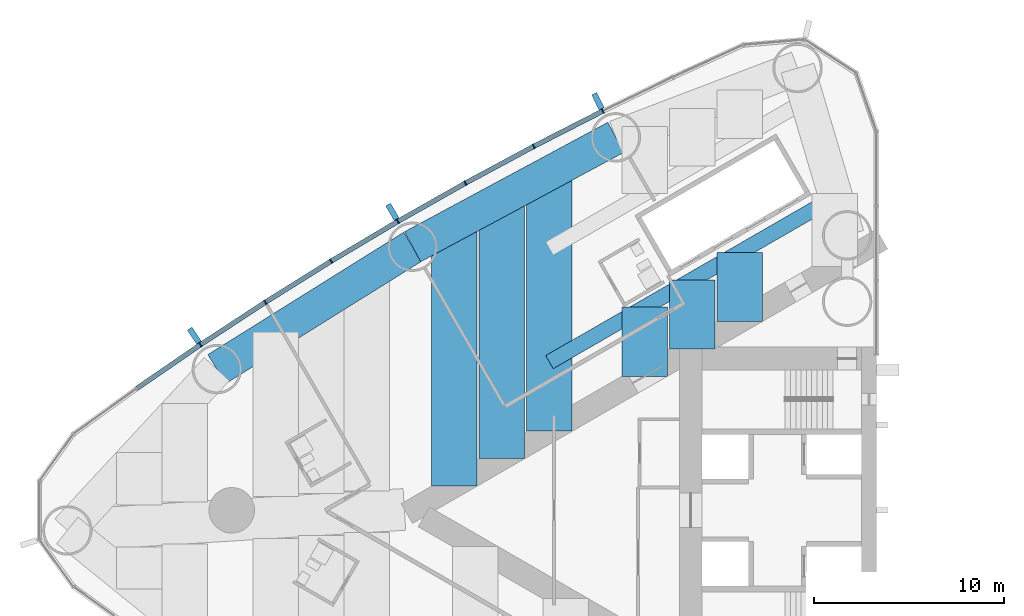
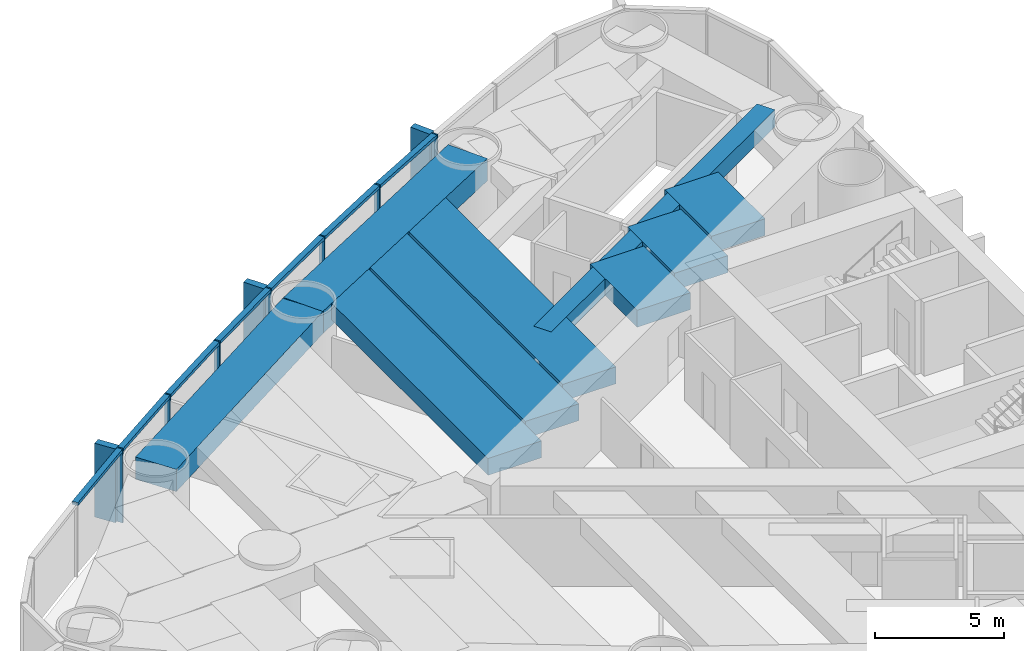
# One storey, part 4 of 18: 17 members, 9 beams, 1 element without a shape of its own.
"""IFC4 building model written with IfcOpenShell, lengths in metres."""

from ifc_helpers import new_model, si_unit, direction, frame, origin, origin_2d, place, context, subcontext, project, spatial, rectangle, hollow_rectangle, extrude, material, material_profile, profile_set, type_object, element, aggregate, save


model = new_model("IFC4")

# Units and contexts
model_context = context("Model", 3, precision=1e-05, world=origin(), true_north=direction((0.0, 1.0)))
body_context = subcontext(model_context, "Body", "Model", "MODEL_VIEW")
ifc_project = project(units=[si_unit("LENGTHUNIT", "METRE"), si_unit("AREAUNIT", "SQUARE_METRE"), si_unit("VOLUMEUNIT", "CUBIC_METRE"), si_unit("PLANEANGLEUNIT", "RADIAN"), si_unit("MASSUNIT", "GRAM", prefix="KILO")], contexts=[model_context])

# Site, building, storey
site_placement = place(None, origin())
site = spatial("IfcSite", under=ifc_project, at=site_placement, CompositionType="ELEMENT")
building_placement = place(site_placement, origin())
building = spatial("IfcBuilding", under=site, at=building_placement, Name="Lancet Gate Hotel", CompositionType="ELEMENT")
storey_placement = place(building_placement, frame((0.0, 0.0, 108.10009765625)))
storey = spatial("IfcBuildingStorey", under=building, at=storey_placement, Name="L28", CompositionType="ELEMENT", Elevation=108.10009765625)

# Curtain wall, members
ifc_material_1 = material(Name="Aluminium curtain wall", Category="aluminium")
curtain_wall_type = type_object("IfcCurtainWallType", Name="Tower unitised curtain wall", PredefinedType="USERDEFINED", material=ifc_material_1)
curtain_wall_placement = place(storey_placement, origin())
curtain_wall = element("IfcCurtainWall", 1, at=curtain_wall_placement, inside=storey, type_object=curtain_wall_type, Name="T1 L28 curtain wall 1", ObjectType="UNITISED CURTAIN WALL", PredefinedType="USERDEFINED")
ifc_material_2 = material(Name="Aluminium mullion", Category="aluminium")
ifc_material_profile_1 = material_profile(ifc_material_2, rectangle(XDim=0.06494140625, YDim=0.25, at=origin_2d()), Name="MULLION 65x250")
ifc_profile_set_1 = profile_set([ifc_material_profile_1], Name="Aluminium mullion")
member_type_1 = type_object("IfcMemberType", Name="Aluminium mullion 65x250", PredefinedType="MULLION", material=ifc_profile_set_1)
member_1_placement = place(storey_placement, frame((-41.935302734375, 21.053466796875, 0.0), z_axis=(0.0, 0.0, 1.0), x_axis=(-0.895339445458, -0.445384415317, 0.0)))
member_1 = element("IfcMember", 2, at=member_1_placement, type_object=member_type_1, Name="T1 L28 curtain wall 1 mullion 9", PredefinedType="MULLION", context=body_context, shape_type="SweptSolid", body=[
    extrude(rectangle(XDim=0.06494140625, YDim=0.25, at=origin_2d()), origin(), (0.0, 0.0, 1.0), 3.5),
])
member_2_placement = place(storey_placement, frame((-45.578857421875, 19.19189453125, 0.0), z_axis=(0.0, 0.0, 1.0), x_axis=(-0.885544335517, -0.46455487279, 0.0)))
member_2 = element("IfcMember", 3, at=member_2_placement, type_object=member_type_1, Name="T1 L28 curtain wall 1 mullion 10", PredefinedType="MULLION", context=body_context, shape_type="SweptSolid", body=[
    extrude(rectangle(XDim=0.06494140625, YDim=0.25, at=origin_2d()), origin(), (0.0, 0.0, 1.0), 3.5),
])
member_3_placement = place(storey_placement, frame((-49.181640625, 17.252197265625, 0.0), z_axis=(0.0, 0.0, 1.0), x_axis=(-0.875338819507, -0.48351003202, 0.0)))
member_3 = element("IfcMember", 4, at=member_3_placement, type_object=member_type_1, Name="T1 L28 curtain wall 1 mullion 11", PredefinedType="MULLION", context=body_context, shape_type="SweptSolid", body=[
    extrude(rectangle(XDim=0.06494140625, YDim=0.25, at=origin_2d()), origin(), (0.0, 0.0, 1.0), 3.5),
])
member_4_placement = place(storey_placement, frame((-52.74169921875, 15.2353515625, 0.0), z_axis=(0.0, 0.0, 1.0), x_axis=(-0.86472762718, -0.502241108226, 0.0)))
member_4 = element("IfcMember", 5, at=member_4_placement, type_object=member_type_1, Name="T1 L28 curtain wall 1 mullion 12", PredefinedType="MULLION", context=body_context, shape_type="SweptSolid", body=[
    extrude(rectangle(XDim=0.06494140625, YDim=0.25, at=origin_2d()), origin(), (0.0, 0.0, 1.0), 3.5),
])
member_5_placement = place(storey_placement, frame((-56.257568359375, 13.142333984375, 0.0), z_axis=(0.0, 0.0, 1.0), x_axis=(-0.853715676299, -0.52073942048, 0.0)))
member_5 = element("IfcMember", 6, at=member_5_placement, type_object=member_type_1, Name="T1 L28 curtain wall 1 mullion 13", PredefinedType="MULLION", context=body_context, shape_type="SweptSolid", body=[
    extrude(rectangle(XDim=0.06494140625, YDim=0.25, at=origin_2d()), origin(), (0.0, 0.0, 1.0), 3.5),
])
member_6_placement = place(storey_placement, frame((-59.7275390625, 10.974365234375, 0.0), z_axis=(0.0, 0.0, 1.0), x_axis=(-0.84230807036, -0.538996395727, 0.0)))
member_6 = element("IfcMember", 7, at=member_6_placement, type_object=member_type_1, Name="T1 L28 curtain wall 1 mullion 14", PredefinedType="MULLION", context=body_context, shape_type="SweptSolid", body=[
    extrude(rectangle(XDim=0.06494140625, YDim=0.25, at=origin_2d()), origin(), (0.0, 0.0, 1.0), 3.5),
])
member_7_placement = place(storey_placement, frame((-63.14990234375, 8.73193359375, 0.0), z_axis=(0.0, 0.0, 1.0), x_axis=(-0.830510096234, -0.557003572747, 0.0)))
member_7 = element("IfcMember", 8, at=member_7_placement, type_object=member_type_1, Name="T1 L28 curtain wall 1 mullion 15", PredefinedType="MULLION", context=body_context, shape_type="SweptSolid", body=[
    extrude(rectangle(XDim=0.06494140625, YDim=0.25, at=origin_2d()), origin(), (0.0, 0.0, 1.0), 3.5),
])
ifc_material_3 = material(Name="Aluminium transom", Category="aluminium")
ifc_material_profile_2 = material_profile(ifc_material_3, rectangle(XDim=0.25, YDim=0.14990234375, at=origin_2d()), Name="TRANSOM 250x150")
ifc_profile_set_2 = profile_set([ifc_material_profile_2], Name="Aluminium transom")
member_type_2 = type_object("IfcMemberType", Name="Aluminium transom 250x150", PredefinedType="USERDEFINED", material=ifc_profile_set_2)
member_8_placement = place(storey_placement, frame((-41.96435546875, 21.038818359375, 3.4248046875), z_axis=(-0.89047617483, -0.455029869415, 0.0), x_axis=(0.455029869415, -0.89047617483, 0.0)))
member_8 = element("IfcMember", 9, at=member_8_placement, type_object=member_type_2, Name="T1 L28 curtain wall 1 transom 9", ObjectType="TRANSOM", PredefinedType="USERDEFINED", context=body_context, shape_type="SweptSolid", body=[
    extrude(rectangle(XDim=0.25, YDim=0.14990234375, at=origin_2d()), origin(), (0.0, 0.0, 1.0), 4.026611328125),
])
member_9_placement = place(storey_placement, frame((-45.607421875, 19.176513671875, 3.4248046875), z_axis=(-0.880498353192, -0.474049206335, 0.0), x_axis=(0.474049206335, -0.880498353192, 0.0)))
member_9 = element("IfcMember", 10, at=member_9_placement, type_object=member_type_2, Name="T1 L28 curtain wall 1 transom 10", ObjectType="TRANSOM", PredefinedType="USERDEFINED", context=body_context, shape_type="SweptSolid", body=[
    extrude(rectangle(XDim=0.25, YDim=0.14990234375, at=origin_2d()), origin(), (0.0, 0.0, 1.0), 4.02685546875),
])
member_10_placement = place(storey_placement, frame((-49.2099609375, 17.236083984375, 3.4248046875), z_axis=(-0.870091531013, -0.492890178091, 0.0), x_axis=(0.492890178091, -0.870091531013, 0.0)))
member_10 = element("IfcMember", 11, at=member_10_placement, type_object=member_type_2, Name="T1 L28 curtain wall 1 transom 11", ObjectType="TRANSOM", PredefinedType="USERDEFINED", context=body_context, shape_type="SweptSolid", body=[
    extrude(rectangle(XDim=0.25, YDim=0.14990234375, at=origin_2d()), origin(), (0.0, 0.0, 1.0), 4.026611328125),
])
member_11_placement = place(storey_placement, frame((-52.76953125, 15.21875, 3.4248046875), z_axis=(-0.859285270342, -0.511496651186, 0.0), x_axis=(0.511496651186, -0.859285270342, 0.0)))
member_11 = element("IfcMember", 12, at=member_11_placement, type_object=member_type_2, Name="T1 L28 curtain wall 1 transom 12", ObjectType="TRANSOM", PredefinedType="USERDEFINED", context=body_context, shape_type="SweptSolid", body=[
    extrude(rectangle(XDim=0.25, YDim=0.14990234375, at=origin_2d()), origin(), (0.0, 0.0, 1.0), 4.026611328125),
])
member_12_placement = place(storey_placement, frame((-56.28515625, 13.125244140625, 3.4248046875), z_axis=(-0.848049393821, -0.529917187531, 0.0), x_axis=(0.529917187531, -0.848049393821, 0.0)))
member_12 = element("IfcMember", 13, at=member_12_placement, type_object=member_type_2, Name="T1 L28 curtain wall 1 transom 13", ObjectType="TRANSOM", PredefinedType="USERDEFINED", context=body_context, shape_type="SweptSolid", body=[
    extrude(rectangle(XDim=0.25, YDim=0.14990234375, at=origin_2d()), origin(), (0.0, 0.0, 1.0), 4.026611328125),
])
member_13_placement = place(storey_placement, frame((-59.754638671875, 10.95654296875, 3.4248046875), z_axis=(-0.83645442085, -0.548036496815, 0.0), x_axis=(0.548036496815, -0.83645442085, 0.0)))
member_13 = element("IfcMember", 14, at=member_13_placement, type_object=member_type_2, Name="T1 L28 curtain wall 1 transom 14", ObjectType="TRANSOM", PredefinedType="USERDEFINED", context=body_context, shape_type="SweptSolid", body=[
    extrude(rectangle(XDim=0.25, YDim=0.14990234375, at=origin_2d()), origin(), (0.0, 0.0, 1.0), 4.026611328125),
])
member_14_placement = place(storey_placement, frame((-63.1767578125, 8.713623046875, 3.4248046875), z_axis=(-0.824455665247, -0.565926546508, 0.0), x_axis=(0.565926546508, -0.824455665247, 0.0)))
member_14 = element("IfcMember", 15, at=member_14_placement, type_object=member_type_2, Name="T1 L28 curtain wall 1 transom 15", ObjectType="TRANSOM", PredefinedType="USERDEFINED", context=body_context, shape_type="SweptSolid", body=[
    extrude(rectangle(XDim=0.25, YDim=0.14990234375, at=origin_2d()), origin(), (0.0, 0.0, 1.0), 4.026611328125),
])

# Beams
ifc_material_4 = material(Name="Concrete C50/60", Category="concrete")
ifc_material_profile_3 = material_profile(ifc_material_4, rectangle(XDim=1.800048828125, YDim=1.050048828125, at=origin_2d()), Name="RC 1800x1050")
ifc_profile_set_3 = profile_set([ifc_material_profile_3], Name="Concrete C50/60")
beam_type_1 = type_object("IfcBeamType", Name="Edge beam RC 1800x1050", PredefinedType="SPANDREL", material=ifc_profile_set_3)
for number, where, z_axis, x_axis, name in (
    (16, (-41.244873046875, 19.665771484375, 2.724853515625), (-0.880492350889, -0.474060354835, 0.0), (0.474060354835, -0.880492350889, 0.0), "T1 edge beam EB1 L28"),
    (17, (-51.963134765625, 13.89501953125, 2.724853515625), (-0.848062521637, -0.529896177939, 0.0), (0.529896177939, -0.848062521637, 0.0), "T1 edge beam EB1 L28"),
):
    element("IfcBeam", number, at=place(storey_placement, frame(where, z_axis=z_axis, x_axis=x_axis)), inside=storey, type_object=beam_type_1, Name=name, PredefinedType="SPANDREL", context=body_context, shape_type="SweptSolid", body=[
        extrude(rectangle(XDim=1.800048828125, YDim=1.050048828125, at=origin_2d()), origin(), (0.0, 0.0, 1.0), 12.173095703125),
    ])

# Member
ifc_material_5 = material(Name="Precast concrete C50/60", Category="concrete")
ifc_material_profile_4 = material_profile(ifc_material_5, rectangle(XDim=0.300048828125, YDim=0.89990234375, at=origin_2d()), Name="FIN 300x900")
ifc_profile_set_4 = profile_set([ifc_material_profile_4], Name="Precast concrete C50/60")
member_type_3 = type_object("IfcMemberType", Name="Exposed concrete fin 300x900", PredefinedType="USERDEFINED", material=ifc_profile_set_4)
member_15_placement = place(storey_placement, frame((-42.19140625, 21.568359375, 0.0), z_axis=(0.0, 0.0, 1.0), x_axis=(-0.895339445458, -0.445384415317, 0.0)))
member_15 = element("IfcMember", 18, at=member_15_placement, type_object=member_type_3, Name="T1 L28 curtain wall 1 fin 9", ObjectType="FIN", PredefinedType="USERDEFINED", context=body_context, shape_type="SweptSolid", body=[
    extrude(rectangle(XDim=0.300048828125, YDim=0.89990234375, at=origin_2d()), origin(), (0.0, 0.0, 1.0), 3.5),
])

member_16_placement = place(storey_placement, frame((-53.030517578125, 15.732666015625, 0.0), z_axis=(0.0, 0.0, 1.0), x_axis=(-0.86472762718, -0.502241108226, 0.0)))
member_16 = element("IfcMember", 19, at=member_16_placement, type_object=member_type_3, Name="T1 L28 curtain wall 1 fin 12", ObjectType="FIN", PredefinedType="USERDEFINED", context=body_context, shape_type="SweptSolid", body=[
    extrude(rectangle(XDim=0.300048828125, YDim=0.89990234375, at=origin_2d()), origin(), (0.0, 0.0, 1.0), 3.5),
])

member_17_placement = place(storey_placement, frame((-63.47021484375, 9.20947265625, 0.0), z_axis=(0.0, 0.0, 1.0), x_axis=(-0.830510096234, -0.557003572747, 0.0)))
member_17 = element("IfcMember", 20, at=member_17_placement, type_object=member_type_3, Name="T1 L28 curtain wall 1 fin 15", ObjectType="FIN", PredefinedType="USERDEFINED", context=body_context, shape_type="SweptSolid", body=[
    extrude(rectangle(XDim=0.300048828125, YDim=0.89990234375, at=origin_2d()), origin(), (0.0, 0.0, 1.0), 3.5),
])

aggregate(curtain_wall, [member_1, member_15, member_2, member_3, member_4, member_16, member_5, member_6, member_7, member_17, member_8, member_9, member_10, member_11, member_12, member_13, member_14])

# Beams
ifc_material_6 = material(Name="Concrete C50/60", Category="concrete")
ifc_material_profile_5 = material_profile(ifc_material_6, rectangle(XDim=2.39990234375, YDim=0.800048828125, at=origin_2d()), Name="RC 2400x800")
ifc_profile_set_5 = profile_set([ifc_material_profile_5], Name="Concrete C50/60")
beam_type_2 = type_object("IfcBeamType", Name="Floor beam RC 2400x800", PredefinedType="BEAM", material=ifc_profile_set_5)
beam_1_placement = place(storey_placement, frame((-44.747802734375, 17.77978515625, 2.849853515625), z_axis=(0.0, -1.0, 0.0), x_axis=(1.0, 0.0, 0.0)))
element("IfcBeam", 21, at=beam_1_placement, inside=storey, type_object=beam_type_2, Name="T1 floor beam F09S L28", PredefinedType="BEAM", context=body_context, shape_type="SweptSolid", body=[
    extrude(rectangle(XDim=2.39990234375, YDim=0.800048828125, at=origin_2d()), origin(), (0.0, 0.0, 1.0), 13.611083984375),
])
beam_2_placement = place(storey_placement, frame((-47.254638671875, 16.43017578125, 2.849853515625), z_axis=(0.0, -1.0, 0.0), x_axis=(1.0, 0.0, 0.0)))
element("IfcBeam", 22, at=beam_2_placement, inside=storey, type_object=beam_type_2, Name="T1 floor beam F10S L28", PredefinedType="BEAM", context=body_context, shape_type="SweptSolid", body=[
    extrude(rectangle(XDim=2.39990234375, YDim=0.800048828125, at=origin_2d()), origin(), (0.0, 0.0, 1.0), 13.708740234375),
])
beam_3_placement = place(storey_placement, frame((-49.761474609375, 15.08056640625, 2.849853515625), z_axis=(0.0, -1.0, 0.0), x_axis=(1.0, 0.0, 0.0)))
element("IfcBeam", 23, at=beam_3_placement, inside=storey, type_object=beam_type_2, Name="T1 floor beam F12S L28", PredefinedType="BEAM", context=body_context, shape_type="SweptSolid", body=[
    extrude(rectangle(XDim=2.39990234375, YDim=0.800048828125, at=origin_2d()), origin(), (0.0, 0.0, 1.0), 13.806396484375),
])
beam_4_placement = place(storey_placement, frame((-34.720458984375, 13.603759765625, 2.849853515625), z_axis=(0.0, -1.0, 0.0), x_axis=(1.0, 0.0, 0.0)))
element("IfcBeam", 24, at=beam_4_placement, inside=storey, type_object=beam_type_2, Name="T1 floor beam F04SB L28", PredefinedType="BEAM", context=body_context, shape_type="SweptSolid", body=[
    extrude(rectangle(XDim=2.39990234375, YDim=0.800048828125, at=origin_2d()), origin(), (0.0, 0.0, 1.0), 3.645751953125),
])
beam_5_placement = place(storey_placement, frame((-37.227294921875, 12.15625, 2.849853515625), z_axis=(0.0, -1.0, 0.0), x_axis=(1.0, 0.0, 0.0)))
element("IfcBeam", 25, at=beam_5_placement, inside=storey, type_object=beam_type_2, Name="T1 floor beam F05SB L28", PredefinedType="BEAM", context=body_context, shape_type="SweptSolid", body=[
    extrude(rectangle(XDim=2.39990234375, YDim=0.800048828125, at=origin_2d()), origin(), (0.0, 0.0, 1.0), 3.6455078125),
])
beam_6_placement = place(storey_placement, frame((-39.734130859375, 10.708740234375, 2.849853515625), z_axis=(0.0, -1.0, 0.0), x_axis=(1.0, 0.0, 0.0)))
element("IfcBeam", 26, at=beam_6_placement, inside=storey, type_object=beam_type_2, Name="T1 floor beam F07SB L28", PredefinedType="BEAM", context=body_context, shape_type="SweptSolid", body=[
    extrude(rectangle(XDim=2.39990234375, YDim=0.800048828125, at=origin_2d()), origin(), (0.0, 0.0, 1.0), 3.645263671875),
])
ifc_material_7 = material(Name="Steel S460QL", Category="steel")
ifc_material_profile_6 = material_profile(ifc_material_7, hollow_rectangle(XDim=0.800048828125, YDim=0.800048828125, WallThickness=0.080078125, at=origin_2d()), Name="BOX 800x800x80")
ifc_profile_set_6 = profile_set([ifc_material_profile_6], Name="Steel S460QL")
beam_type_3 = type_object("IfcBeamType", Name="Trimmer beam BOX 800x800x80", PredefinedType="BEAM", material=ifc_profile_set_6)
beam_7_placement = place(storey_placement, frame((-29.706787109375, 16.49853515625, 2.849853515625), z_axis=(-0.866003462672, -0.500038001195, 0.0), x_axis=(0.500038001195, -0.866003462672, 0.0)))
element("IfcBeam", 27, at=beam_7_placement, inside=storey, type_object=beam_type_3, Name="T1 trimmer beam TR02S L28", PredefinedType="BEAM", context=body_context, shape_type="SweptSolid", body=[
    extrude(hollow_rectangle(XDim=0.800048828125, YDim=0.800048828125, WallThickness=0.080078125, at=origin_2d()), origin(), (0.0, 0.0, 1.0), 17.368408203125),
])

save(model, "model.ifc")
